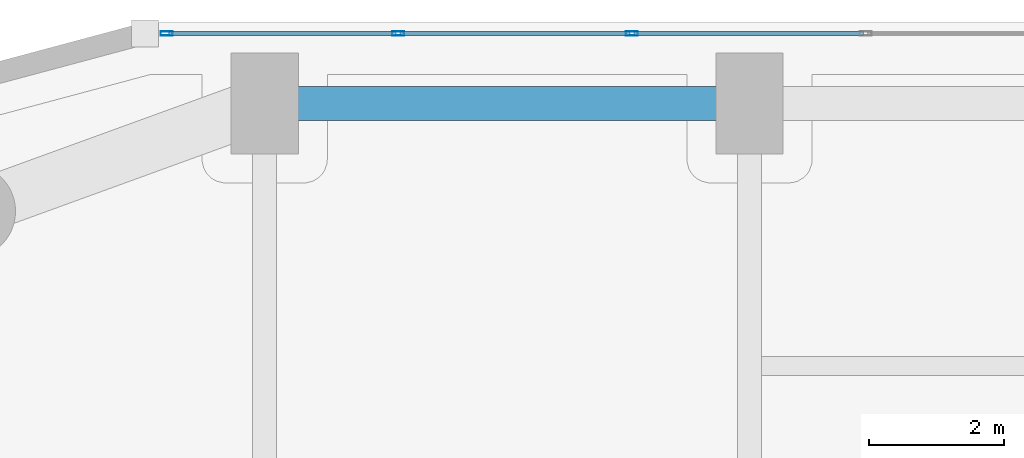
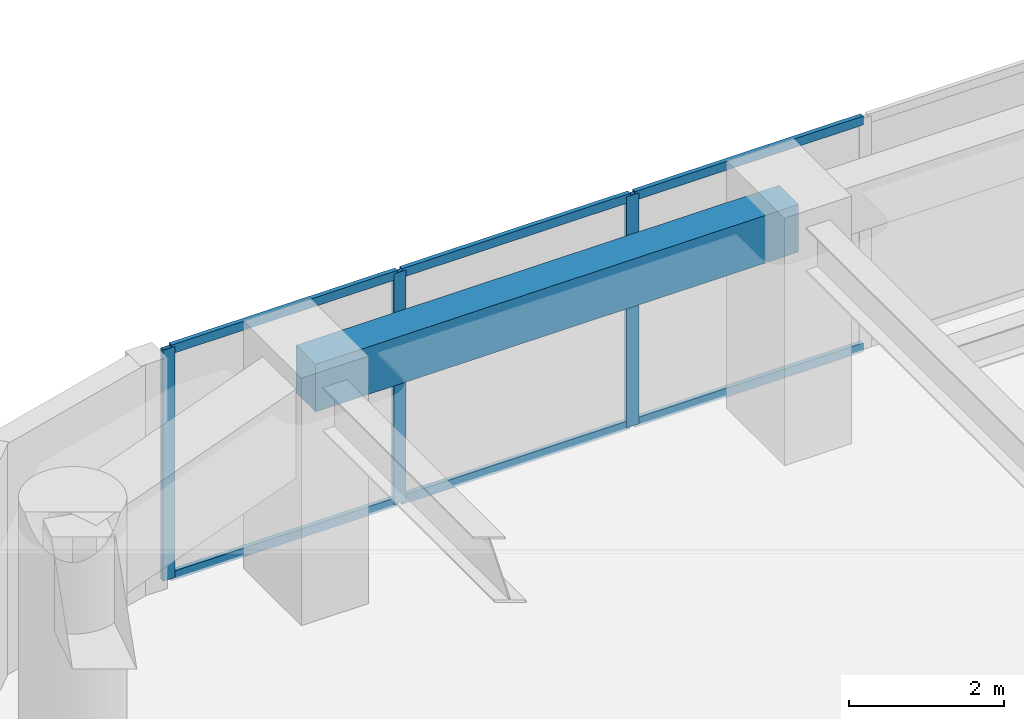
# One storey, part 16 of 28: 9 members, 1 beam, 1 element without a shape of its own.
"""IFC4 building model written with IfcOpenShell, lengths in metres."""

from ifc_helpers import new_model, si_unit, direction, frame, origin, origin_2d, place, context, subcontext, project, spatial, rectangle, hollow_rectangle, extrude, material, layer, layer_set, material_profile, profile_set, type_object, element, aggregate, save


model = new_model("IFC4")

# Units and contexts
model_context = context("Model", 3, precision=1e-05, world=origin(), true_north=direction((0.0, 1.0)))
body_context = subcontext(model_context, "Body", "Model", "MODEL_VIEW")
ifc_project = project(units=[si_unit("LENGTHUNIT", "METRE"), si_unit("AREAUNIT", "SQUARE_METRE"), si_unit("VOLUMEUNIT", "CUBIC_METRE"), si_unit("PLANEANGLEUNIT", "RADIAN"), si_unit("MASSUNIT", "GRAM", prefix="KILO")], contexts=[model_context])

# Site, building, storey
site_placement = place(None, origin())
site = spatial("IfcSite", under=ifc_project, at=site_placement, CompositionType="ELEMENT")
building_placement = place(site_placement, origin())
building = spatial("IfcBuilding", under=site, at=building_placement, Name="Kiyonajd Concourse Tower", CompositionType="ELEMENT")
storey_placement = place(building_placement, frame((0.0, 0.0, 60.60009765625)))
storey = spatial("IfcBuildingStorey", under=building, at=storey_placement, Name="L16", CompositionType="ELEMENT", Elevation=60.60009765625)

# Beam
ifc_material_1 = material(Name="Precast concrete C50/60", Category="concrete")
ifc_material_profile_1 = material_profile(ifc_material_1, rectangle(XDim=0.5, YDim=0.75, at=origin_2d()), Name="RCBM-500x750")
ifc_profile_set_1 = profile_set([ifc_material_profile_1], Name="Precast concrete C50/60")
beam_type = type_object("IfcBeamType", Name="BM-SPAN-RC", PredefinedType="SPANDREL", material=ifc_profile_set_1)
beam_placement = place(storey_placement, frame((32.39990234375, 61.199951171875, 3.264892578125), z_axis=(-1.0, 0.0, 0.0), x_axis=(0.0, -1.0, 0.0)))
element("IfcBeam", 1, at=beam_placement, inside=storey, type_object=beam_type, Name="L16 Perimeter Bundled Tube Spandrel", PredefinedType="SPANDREL", context=body_context, shape_type="SweptSolid", body=[
    extrude(rectangle(XDim=0.5, YDim=0.75, at=origin_2d()), origin(), (0.0, 0.0, 1.0), 7.199951171875),
])

# Curtain wall, members
ifc_material_2 = material(Name="Thermally Broken Anodised Aluminium", Category="aluminium")
ifc_layer = layer(ifc_material_2, 0.179931640625)
ifc_layer_set = layer_set([ifc_layer], Name="Thermally Broken Anodised Aluminium")
curtain_wall_type = type_object("IfcCurtainWallType", Name="CW-SYS-02", PredefinedType="NOTDEFINED", material=ifc_layer_set)
curtain_wall_placement = place(storey_placement, origin())
curtain_wall = element("IfcCurtainWall", 2, at=curtain_wall_placement, inside=storey, type_object=curtain_wall_type, Name="L16 Unitised Curtain Wall CW2", PredefinedType="NOTDEFINED")
ifc_material_profile_2 = material_profile(ifc_material_2, hollow_rectangle(XDim=0.06494140625, YDim=0.179931640625, WallThickness=0.00390625, at=origin_2d()), Name="MULL-65x180")
ifc_profile_set_2 = profile_set([ifc_material_profile_2], Name="Thermally Broken Anodised Aluminium")
member_type_1 = type_object("IfcMemberType", Name="MB-CW-MULL1", PredefinedType="MULLION", material=ifc_profile_set_2)
member_1_placement = place(storey_placement, frame((23.74365234375, 62.239990234375, 0.0), z_axis=(0.0, 0.0, 1.0), x_axis=(0.0, 1.0, 0.0)))
member_1 = element("IfcMember", 3, at=member_1_placement, type_object=member_type_1, Name="CW2 mullion 1", PredefinedType="MULLION", context=body_context, shape_type="SweptSolid", body=[
    extrude(hollow_rectangle(XDim=0.06494140625, YDim=0.179931640625, WallThickness=0.00390625, at=origin_2d()), origin(), (0.0, 0.0, 1.0), 3.639892578125),
])
member_2_placement = place(storey_placement, frame((27.181884765625, 62.239990234375, 0.0), z_axis=(0.0, 0.0, 1.0), x_axis=(0.0, 1.0, 0.0)))
member_2 = element("IfcMember", 4, at=member_2_placement, type_object=member_type_1, Name="CW2 mullion 2", PredefinedType="MULLION", context=body_context, shape_type="SweptSolid", body=[
    extrude(hollow_rectangle(XDim=0.06494140625, YDim=0.179931640625, WallThickness=0.00390625, at=origin_2d()), origin(), (0.0, 0.0, 1.0), 3.639892578125),
])
member_3_placement = place(storey_placement, frame((30.652587890625, 62.239990234375, 0.0), z_axis=(0.0, 0.0, 1.0), x_axis=(0.0, 1.0, 0.0)))
member_3 = element("IfcMember", 5, at=member_3_placement, type_object=member_type_1, Name="CW2 mullion 3", PredefinedType="MULLION", context=body_context, shape_type="SweptSolid", body=[
    extrude(hollow_rectangle(XDim=0.06494140625, YDim=0.179931640625, WallThickness=0.00390625, at=origin_2d()), origin(), (0.0, 0.0, 1.0), 3.639892578125),
])
ifc_material_profile_3 = material_profile(ifc_material_2, hollow_rectangle(XDim=0.06494140625, YDim=0.139892578125, WallThickness=0.00390625, at=origin_2d()), Name="TRAN-65x140")
ifc_profile_set_3 = profile_set([ifc_material_profile_3], Name="Thermally Broken Anodised Aluminium")
member_type_2 = type_object("IfcMemberType", Name="MB-CW-TRAN1", PredefinedType="USERDEFINED", material=ifc_profile_set_3)
member_4_placement = place(storey_placement, frame((23.776123046875, 62.239990234375, 0.032470703125), z_axis=(1.0, 0.0, 0.0), x_axis=(0.0, 1.0, 0.0)))
member_4 = element("IfcMember", 6, at=member_4_placement, type_object=member_type_2, Name="CW2 transom 1.1", ObjectType="TRANSOM", PredefinedType="USERDEFINED", context=body_context, shape_type="SweptSolid", body=[
    extrude(hollow_rectangle(XDim=0.06494140625, YDim=0.139892578125, WallThickness=0.00390625, at=origin_2d()), origin(), (0.0, 0.0, 1.0), 3.373291015625),
])
member_5_placement = place(storey_placement, frame((23.776123046875, 62.239990234375, 3.607421875), z_axis=(1.0, 0.0, 0.0), x_axis=(0.0, 1.0, 0.0)))
member_5 = element("IfcMember", 7, at=member_5_placement, type_object=member_type_2, Name="CW2 transom 1.2", ObjectType="TRANSOM", PredefinedType="USERDEFINED", context=body_context, shape_type="SweptSolid", body=[
    extrude(hollow_rectangle(XDim=0.06494140625, YDim=0.139892578125, WallThickness=0.00390625, at=origin_2d()), origin(), (0.0, 0.0, 1.0), 3.373291015625),
])
member_6_placement = place(storey_placement, frame((27.21435546875, 62.239990234375, 0.032470703125), z_axis=(1.0, 0.0, 0.0), x_axis=(0.0, 1.0, 0.0)))
member_6 = element("IfcMember", 8, at=member_6_placement, type_object=member_type_2, Name="CW2 transom 2.1", ObjectType="TRANSOM", PredefinedType="USERDEFINED", context=body_context, shape_type="SweptSolid", body=[
    extrude(hollow_rectangle(XDim=0.06494140625, YDim=0.139892578125, WallThickness=0.00390625, at=origin_2d()), origin(), (0.0, 0.0, 1.0), 3.40576171875),
])
member_7_placement = place(storey_placement, frame((27.21435546875, 62.239990234375, 3.607421875), z_axis=(1.0, 0.0, 0.0), x_axis=(0.0, 1.0, 0.0)))
member_7 = element("IfcMember", 9, at=member_7_placement, type_object=member_type_2, Name="CW2 transom 2.2", ObjectType="TRANSOM", PredefinedType="USERDEFINED", context=body_context, shape_type="SweptSolid", body=[
    extrude(hollow_rectangle(XDim=0.06494140625, YDim=0.139892578125, WallThickness=0.00390625, at=origin_2d()), origin(), (0.0, 0.0, 1.0), 3.40576171875),
])
member_8_placement = place(storey_placement, frame((30.68505859375, 62.239990234375, 0.032470703125), z_axis=(1.0, 0.0, 0.0), x_axis=(0.0, 1.0, 0.0)))
member_8 = element("IfcMember", 10, at=member_8_placement, type_object=member_type_2, Name="CW2 transom 3.1", ObjectType="TRANSOM", PredefinedType="USERDEFINED", context=body_context, shape_type="SweptSolid", body=[
    extrude(hollow_rectangle(XDim=0.06494140625, YDim=0.139892578125, WallThickness=0.00390625, at=origin_2d()), origin(), (0.0, 0.0, 1.0), 3.40576171875),
])
member_9_placement = place(storey_placement, frame((30.68505859375, 62.239990234375, 3.607421875), z_axis=(1.0, 0.0, 0.0), x_axis=(0.0, 1.0, 0.0)))
member_9 = element("IfcMember", 11, at=member_9_placement, type_object=member_type_2, Name="CW2 transom 3.2", ObjectType="TRANSOM", PredefinedType="USERDEFINED", context=body_context, shape_type="SweptSolid", body=[
    extrude(hollow_rectangle(XDim=0.06494140625, YDim=0.139892578125, WallThickness=0.00390625, at=origin_2d()), origin(), (0.0, 0.0, 1.0), 3.40576171875),
])
aggregate(curtain_wall, [member_1, member_2, member_3, member_4, member_5, member_6, member_7, member_8, member_9])

save(model, "model.ifc")
